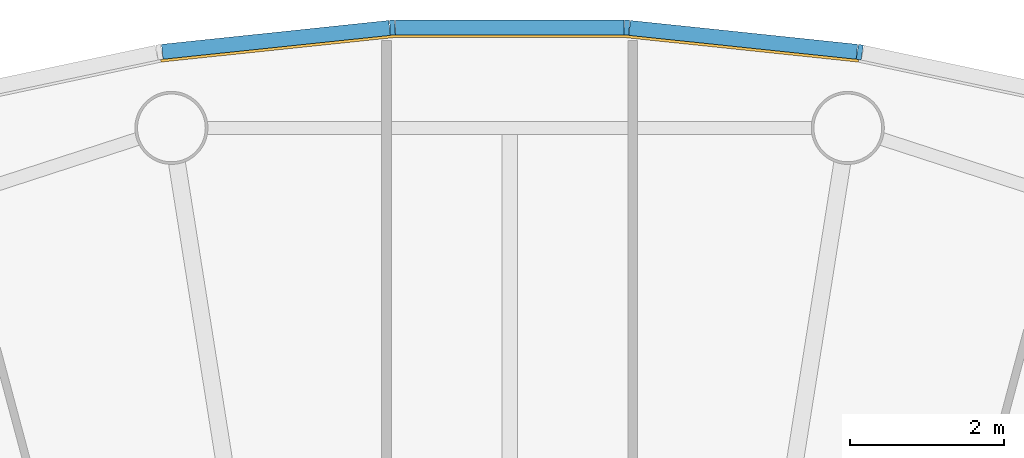
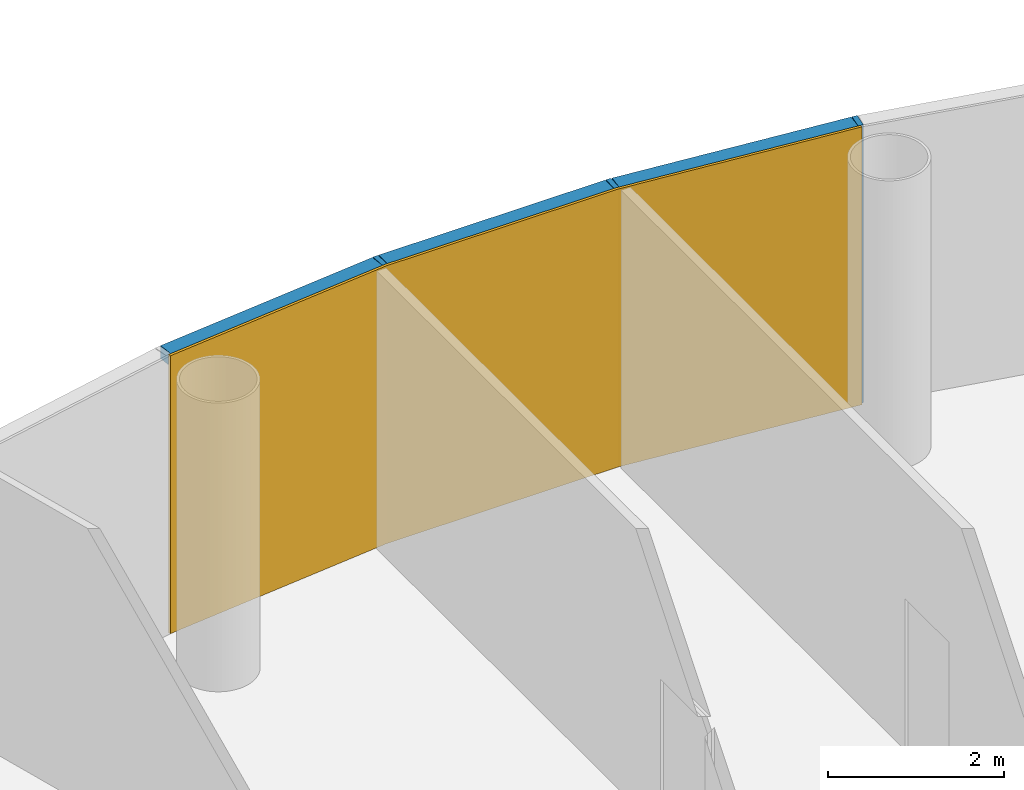
# One storey, part 11 of 13: 6 members, 1 curtain wall.
"""IFC4 building model written with IfcOpenShell, lengths in metres."""

from ifc_helpers import new_model, si_unit, direction, frame, origin, origin_2d, place, context, subcontext, project, spatial, polyline, rectangle, outline, extrude, material, layer, layer_set, material_profile, profile_set, type_object, element, aggregate, save


model = new_model("IFC4")

# Units and contexts
model_context = context("Model", 3, precision=1e-05, world=origin(), true_north=direction((0.0, 1.0)))
body_context = subcontext(model_context, "Body", "Model", "MODEL_VIEW")
ifc_project = project(units=[si_unit("LENGTHUNIT", "METRE"), si_unit("AREAUNIT", "SQUARE_METRE"), si_unit("VOLUMEUNIT", "CUBIC_METRE"), si_unit("PLANEANGLEUNIT", "RADIAN"), si_unit("MASSUNIT", "GRAM", prefix="KILO")], contexts=[model_context])

# Member
ifc_material_1 = material(Name="Anodised aluminium", Category="aluminium")
ifc_material_profile_1 = material_profile(ifc_material_1, rectangle(XDim=0.06494140625, YDim=0.195068359375, at=origin_2d()), Name="Mullion 65 x 195 mm anodised aluminium")
ifc_profile_set_1 = profile_set([ifc_material_profile_1], Name="Anodised aluminium")
member_type_1 = type_object("IfcMemberType", Name="Mullion 65 x 195 mm anodised aluminium", PredefinedType="MULLION", material=ifc_profile_set_1)
site_placement = place(None, origin())
building_placement = place(site_placement, origin())
storey_placement = place(building_placement, frame((0.0, 0.0, 282.0)))
member_1_placement = place(storey_placement, frame((94.5517578125, 108.7392578125, 0.0), z_axis=(0.0, 0.0, 1.0), x_axis=(-0.987688340595, 0.15643446504, 0.0)))
member_1 = element("IfcMember", 1, at=member_1_placement, type_object=member_type_1, Name="MULLION L64-12", PredefinedType="MULLION", context=body_context, shape_type="SweptSolid", body=[
    extrude(rectangle(XDim=0.06494140625, YDim=0.195068359375, at=origin_2d()), origin(), (0.0, 0.0, 1.0), 3.85009765625),
])

member_2_placement = place(storey_placement, frame((91.52294921875, 109.0576171875, 0.0), z_axis=(0.0, 0.0, 1.0), x_axis=(-0.998629534755, 0.052335956243, 0.0)))
member_2 = element("IfcMember", 2, at=member_2_placement, type_object=member_type_1, Name="MULLION L64-13", PredefinedType="MULLION", context=body_context, shape_type="SweptSolid", body=[
    extrude(rectangle(XDim=0.06494140625, YDim=0.195068359375, at=origin_2d()), origin(), (0.0, 0.0, 1.0), 3.85009765625),
])

member_3_placement = place(storey_placement, frame((88.47705078125, 109.0576171875, 0.0), z_axis=(0.0, 0.0, 1.0), x_axis=(-0.998629534755, -0.052335956243, 0.0)))
member_3 = element("IfcMember", 3, at=member_3_placement, type_object=member_type_1, Name="MULLION L64-14", PredefinedType="MULLION", context=body_context, shape_type="SweptSolid", body=[
    extrude(rectangle(XDim=0.06494140625, YDim=0.195068359375, at=origin_2d()), origin(), (0.0, 0.0, 1.0), 3.85009765625),
])

ifc_material_2 = material(Name="Anodised aluminium", Category="aluminium")
ifc_material_profile_2 = material_profile(ifc_material_2, rectangle(XDim=0.195068359375, YDim=0.179931640625, at=origin_2d()), Name="Transom 180 x 195 mm anodised aluminium")
ifc_profile_set_2 = profile_set([ifc_material_profile_2], Name="Anodised aluminium")
member_type_2 = type_object("IfcMemberType", Name="Transom 180 x 195 mm anodised aluminium", PredefinedType="USERDEFINED", material=ifc_profile_set_2)
member_4_placement = place(storey_placement, frame((94.514404296875, 108.743408203125, 3.760009765625), z_axis=(-0.994528397827, 0.104466577987, 0.0), x_axis=(-0.104466577987, -0.994528397827, 0.0)))
member_4 = element("IfcMember", 4, at=member_4_placement, type_object=member_type_2, Name="TRANSOM L64-12", ObjectType="TRANSOM", PredefinedType="USERDEFINED", context=body_context, shape_type="SweptSolid", body=[
    extrude(rectangle(XDim=0.195068359375, YDim=0.179931640625, at=origin_2d()), origin(), (0.0, 0.0, 1.0), 2.970458984375),
])

member_5_placement = place(storey_placement, frame((91.4853515625, 109.057861328125, 3.760009765625), z_axis=(-1.0, 0.0, 0.0), x_axis=(0.0, -1.0, 0.0)))
member_5 = element("IfcMember", 5, at=member_5_placement, type_object=member_type_2, Name="TRANSOM L64-13", ObjectType="TRANSOM", PredefinedType="USERDEFINED", context=body_context, shape_type="SweptSolid", body=[
    extrude(rectangle(XDim=0.195068359375, YDim=0.179931640625, at=origin_2d()), origin(), (0.0, 0.0, 1.0), 2.970703125),
])

member_6_placement = place(storey_placement, frame((88.439697265625, 109.0537109375, 3.760009765625), z_axis=(-0.994528397827, -0.104466577987, 0.0), x_axis=(0.104466577987, -0.994528397827, 0.0)))
member_6 = element("IfcMember", 6, at=member_6_placement, type_object=member_type_2, Name="TRANSOM L64-14", ObjectType="TRANSOM", PredefinedType="USERDEFINED", context=body_context, shape_type="SweptSolid", body=[
    extrude(rectangle(XDim=0.195068359375, YDim=0.179931640625, at=origin_2d()), origin(), (0.0, 0.0, 1.0), 2.970458984375),
])

# Site, building, storey
site = spatial("IfcSite", under=ifc_project, at=site_placement, CompositionType="ELEMENT")
building = spatial("IfcBuilding", under=site, at=building_placement, Name="Entoto Ring Tower", CompositionType="ELEMENT")
storey = spatial("IfcBuildingStorey", under=building, at=storey_placement, Name="L64", CompositionType="ELEMENT", Elevation=282.0)

# Curtain wall
ifc_material_3 = material(Name="Clear low-iron glass", Category="glass")
ifc_layer = layer(ifc_material_3, 0.033935546875)
ifc_layer_set = layer_set([ifc_layer], Name="Clear low-iron glass")
curtain_wall_type = type_object("IfcCurtainWallType", Name="Curtain wall system CW5 glazing 34 mm", PredefinedType="NOTDEFINED", material=ifc_layer_set)
curtain_wall_placement = place(storey_placement, origin())
curtain_wall = element("IfcCurtainWall", 7, at=curtain_wall_placement, inside=storey, type_object=curtain_wall_type, Name="CW5 L64-05", PredefinedType="NOTDEFINED", context=body_context, shape_type="SweptSolid", body=[
    extrude(outline(polyline([(94.53662109375, 108.64306640625), (91.517822265625, 108.960205078125), (88.482177734375, 108.960205078125), (85.46337890625, 108.64306640625), (85.46875, 108.609375), (88.484130859375, 108.92626953125), (91.515869140625, 108.92626953125), (94.53125, 108.609375), (94.53662109375, 108.64306640625)])), origin(), (0.0, 0.0, 1.0), 3.85009765625),
])

aggregate(curtain_wall, [member_1, member_2, member_3, member_4, member_5, member_6])

save(model, "model.ifc")
